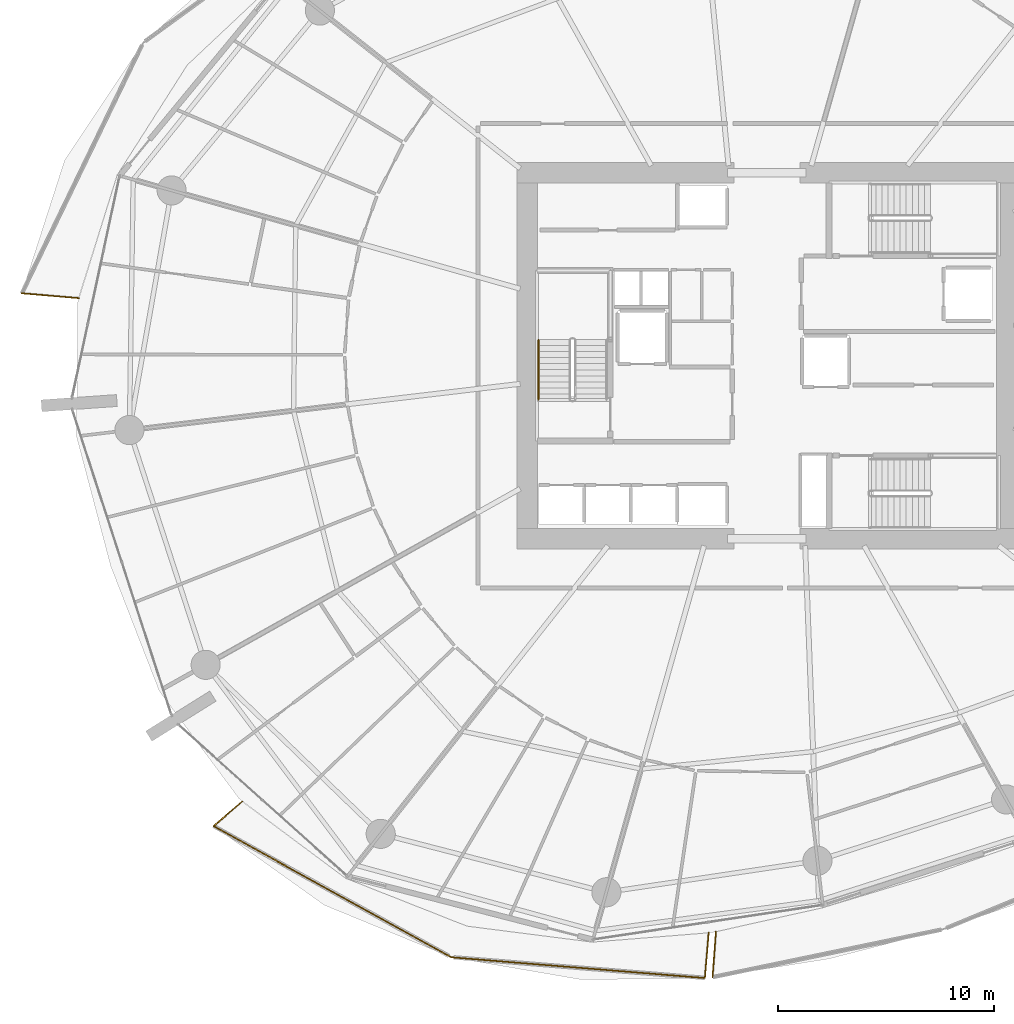
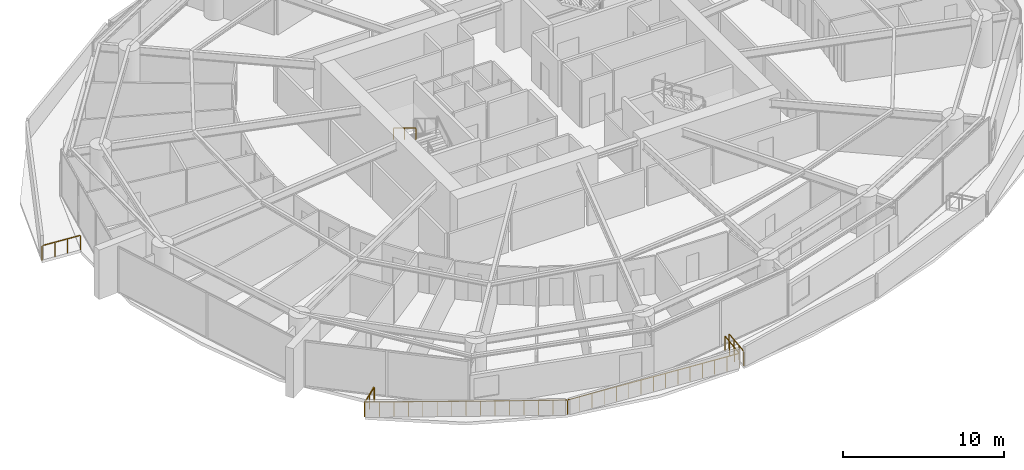
# One storey, part 25 of 31: 7 railings.
"""IFC4 building model written with IfcOpenShell, lengths in metres."""

from ifc_helpers import new_model, si_unit, direction, frame, origin, origin_2d, place, context, subcontext, project, spatial, rectangle, extrude, material, type_object, element, save


model = new_model("IFC4")

# Units and contexts
model_context = context("Model", 3, precision=1e-05, world=origin(), true_north=direction((0.0, 1.0)))
body_context = subcontext(model_context, "Body", "Model", "MODEL_VIEW")
ifc_project = project(units=[si_unit("LENGTHUNIT", "METRE"), si_unit("AREAUNIT", "SQUARE_METRE"), si_unit("VOLUMEUNIT", "CUBIC_METRE"), si_unit("PLANEANGLEUNIT", "RADIAN"), si_unit("MASSUNIT", "GRAM", prefix="KILO")], contexts=[model_context])

# Site, building, storey
site_placement = place(None, origin())
site = spatial("IfcSite", under=ifc_project, at=site_placement, CompositionType="ELEMENT")
building_placement = place(site_placement, origin())
building = spatial("IfcBuilding", under=site, at=building_placement, Name="Kazma Halo Residences", CompositionType="ELEMENT")
storey_placement = place(building_placement, frame((0.0, 0.0, 41.39990234375)))
storey = spatial("IfcBuildingStorey", under=building, at=storey_placement, Name="L09", CompositionType="ELEMENT", Elevation=41.39990234375)

# Railings
ifc_material_1 = material(Name="Aluminium AW-6063 T6 Brushed Cap Rail", Category="aluminium")
railing_type_1 = type_object("IfcRailingType", Name="RLG-BAL-CAP-1120", PredefinedType="BALUSTRADE", material=ifc_material_1)
railing_1_placement = place(storey_placement, frame((13.9169921875, 44.89208984375, 0.0)))
element("IfcRailing", 1, at=railing_1_placement, inside=storey, type_object=railing_type_1, Name="L09 NW wave balcony guard 4", PredefinedType="BALUSTRADE", context=body_context, shape_type="SweptSolid", body=[
    extrude(rectangle(XDim=0.050048828125, YDim=0.050048828125, at=origin_2d()), frame((0.04248046875, -0.003662109375, 1.09521484375), z_axis=(0.996418413409, -0.084559715106, 0.0), x_axis=(0.084559715106, 0.996418413409, 0.0)), (0.0, 0.0, 1.0), 2.556640625),
    extrude(rectangle(XDim=0.0400390625, YDim=0.0400390625, at=origin_2d()), origin(), (0.0, 0.0, 1.0), 1.05810546875),
    extrude(rectangle(XDim=0.0400390625, YDim=0.0400390625, at=origin_2d()), frame((0.87744140625, -0.074462890625, 0.0)), (0.0, 0.0, 1.0), 1.05810546875),
    extrude(rectangle(XDim=0.0400390625, YDim=0.0400390625, at=origin_2d()), frame((1.7548828125, -0.14892578125, 0.0)), (0.0, 0.0, 1.0), 1.05810546875),
    extrude(rectangle(XDim=0.0400390625, YDim=0.0400390625, at=origin_2d()), frame((2.63232421875, -0.223388671875, 0.0)), (0.0, 0.0, 1.0), 1.05810546875),
])
railing_2_placement = place(storey_placement, frame((24.124267578125, 21.354736328125, 0.0)))
element("IfcRailing", 2, at=railing_2_placement, inside=storey, type_object=railing_type_1, Name="L09 SW wave balcony guard 1", PredefinedType="BALUSTRADE", context=body_context, shape_type="SweptSolid", body=[
    extrude(rectangle(XDim=0.050048828125, YDim=0.050048828125, at=origin_2d()), frame((-0.0322265625, -0.02783203125, 1.09521484375), z_axis=(-0.75645845376, -0.6540417477, 0.0), x_axis=(0.6540417477, -0.75645845376, 0.0)), (0.0, 0.0, 1.0), 1.662353515625),
    extrude(rectangle(XDim=0.0400390625, YDim=0.0400390625, at=origin_2d()), origin(), (0.0, 0.0, 1.0), 1.05810546875),
    extrude(rectangle(XDim=0.0400390625, YDim=0.0400390625, at=origin_2d()), frame((-0.660888671875, -0.5712890625, 0.0)), (0.0, 0.0, 1.0), 1.05810546875),
    extrude(rectangle(XDim=0.0400390625, YDim=0.0400390625, at=origin_2d()), frame((-1.32177734375, -1.142822265625, 0.0)), (0.0, 0.0, 1.0), 1.05810546875),
])
railing_3_placement = place(storey_placement, frame((22.802490234375, 20.2119140625, 0.0)))
element("IfcRailing", 3, at=railing_3_placement, inside=storey, type_object=railing_type_1, Name="L09 SW wave balcony guard 2", PredefinedType="BALUSTRADE", context=body_context, shape_type="SweptSolid", body=[
    extrude(rectangle(XDim=0.050048828125, YDim=0.050048828125, at=origin_2d()), frame((0.037353515625, -0.0205078125, 1.09521484375), z_axis=(0.87546091384, -0.483288928425, 0.0), x_axis=(0.483288928425, 0.87546091384, 0.0)), (0.0, 0.0, 1.0), 12.4814453125),
    extrude(rectangle(XDim=0.0400390625, YDim=0.0400390625, at=origin_2d()), origin(), (0.0, 0.0, 1.0), 1.05810546875),
    extrude(rectangle(XDim=0.0400390625, YDim=0.0400390625, at=origin_2d()), frame((0.785888671875, -0.433837890625, 0.0)), (0.0, 0.0, 1.0), 1.05810546875),
    extrude(rectangle(XDim=0.0400390625, YDim=0.0400390625, at=origin_2d()), frame((1.571533203125, -0.86767578125, 0.0)), (0.0, 0.0, 1.0), 1.05810546875),
    extrude(rectangle(XDim=0.0400390625, YDim=0.0400390625, at=origin_2d()), frame((2.357421875, -1.301513671875, 0.0)), (0.0, 0.0, 1.0), 1.05810546875),
    extrude(rectangle(XDim=0.0400390625, YDim=0.0400390625, at=origin_2d()), frame((3.143310546875, -1.735107421875, 0.0)), (0.0, 0.0, 1.0), 1.05810546875),
    extrude(rectangle(XDim=0.0400390625, YDim=0.0400390625, at=origin_2d()), frame((3.92919921875, -2.1689453125, 0.0)), (0.0, 0.0, 1.0), 1.05810546875),
    extrude(rectangle(XDim=0.0400390625, YDim=0.0400390625, at=origin_2d()), frame((4.71484375, -2.602783203125, 0.0)), (0.0, 0.0, 1.0), 1.05810546875),
    extrude(rectangle(XDim=0.0400390625, YDim=0.0400390625, at=origin_2d()), frame((5.500732421875, -3.03662109375, 0.0)), (0.0, 0.0, 1.0), 1.05810546875),
    extrude(rectangle(XDim=0.0400390625, YDim=0.0400390625, at=origin_2d()), frame((6.28662109375, -3.470458984375, 0.0)), (0.0, 0.0, 1.0), 1.05810546875),
    extrude(rectangle(XDim=0.0400390625, YDim=0.0400390625, at=origin_2d()), frame((7.072265625, -3.904296875, 0.0)), (0.0, 0.0, 1.0), 1.05810546875),
    extrude(rectangle(XDim=0.0400390625, YDim=0.0400390625, at=origin_2d()), frame((7.858154296875, -4.338134765625, 0.0)), (0.0, 0.0, 1.0), 1.05810546875),
    extrude(rectangle(XDim=0.0400390625, YDim=0.0400390625, at=origin_2d()), frame((8.64404296875, -4.771728515625, 0.0)), (0.0, 0.0, 1.0), 1.05810546875),
    extrude(rectangle(XDim=0.0400390625, YDim=0.0400390625, at=origin_2d()), frame((9.429931640625, -5.20556640625, 0.0)), (0.0, 0.0, 1.0), 1.05810546875),
    extrude(rectangle(XDim=0.0400390625, YDim=0.0400390625, at=origin_2d()), frame((10.215576171875, -5.639404296875, 0.0)), (0.0, 0.0, 1.0), 1.05810546875),
    extrude(rectangle(XDim=0.0400390625, YDim=0.0400390625, at=origin_2d()), frame((11.00146484375, -6.0732421875, 0.0)), (0.0, 0.0, 1.0), 1.05810546875),
])
railing_4_placement = place(storey_placement, frame((33.803955078125, 14.138671875, 0.0)))
element("IfcRailing", 4, at=railing_4_placement, inside=storey, type_object=railing_type_1, Name="L09 SW wave balcony guard 3", PredefinedType="BALUSTRADE", context=body_context, shape_type="SweptSolid", body=[
    extrude(rectangle(XDim=0.050048828125, YDim=0.050048828125, at=origin_2d()), frame((0.04248046875, -0.00341796875, 1.09521484375), z_axis=(0.996665946261, -0.081590388919, 0.0), x_axis=(0.081590388919, 0.996665946261, 0.0)), (0.0, 0.0, 1.0), 11.70458984375),
    extrude(rectangle(XDim=0.0400390625, YDim=0.0400390625, at=origin_2d()), origin(), (0.0, 0.0, 1.0), 1.05810546875),
    extrude(rectangle(XDim=0.0400390625, YDim=0.0400390625, at=origin_2d()), frame((0.83935546875, -0.068603515625, 0.0)), (0.0, 0.0, 1.0), 1.05810546875),
    extrude(rectangle(XDim=0.0400390625, YDim=0.0400390625, at=origin_2d()), frame((1.6787109375, -0.137451171875, 0.0)), (0.0, 0.0, 1.0), 1.05810546875),
    extrude(rectangle(XDim=0.0400390625, YDim=0.0400390625, at=origin_2d()), frame((2.517822265625, -0.2060546875, 0.0)), (0.0, 0.0, 1.0), 1.05810546875),
    extrude(rectangle(XDim=0.0400390625, YDim=0.0400390625, at=origin_2d()), frame((3.357177734375, -0.27490234375, 0.0)), (0.0, 0.0, 1.0), 1.05810546875),
    extrude(rectangle(XDim=0.0400390625, YDim=0.0400390625, at=origin_2d()), frame((4.196533203125, -0.343505859375, 0.0)), (0.0, 0.0, 1.0), 1.05810546875),
    extrude(rectangle(XDim=0.0400390625, YDim=0.0400390625, at=origin_2d()), frame((5.035888671875, -0.412353515625, 0.0)), (0.0, 0.0, 1.0), 1.05810546875),
    extrude(rectangle(XDim=0.0400390625, YDim=0.0400390625, at=origin_2d()), frame((5.875, -0.48095703125, 0.0)), (0.0, 0.0, 1.0), 1.05810546875),
    extrude(rectangle(XDim=0.0400390625, YDim=0.0400390625, at=origin_2d()), frame((6.71435546875, -0.549560546875, 0.0)), (0.0, 0.0, 1.0), 1.05810546875),
    extrude(rectangle(XDim=0.0400390625, YDim=0.0400390625, at=origin_2d()), frame((7.5537109375, -0.618408203125, 0.0)), (0.0, 0.0, 1.0), 1.05810546875),
    extrude(rectangle(XDim=0.0400390625, YDim=0.0400390625, at=origin_2d()), frame((8.39306640625, -0.68701171875, 0.0)), (0.0, 0.0, 1.0), 1.05810546875),
    extrude(rectangle(XDim=0.0400390625, YDim=0.0400390625, at=origin_2d()), frame((9.232421875, -0.755859375, 0.0)), (0.0, 0.0, 1.0), 1.05810546875),
    extrude(rectangle(XDim=0.0400390625, YDim=0.0400390625, at=origin_2d()), frame((10.071533203125, -0.824462890625, 0.0)), (0.0, 0.0, 1.0), 1.05810546875),
    extrude(rectangle(XDim=0.0400390625, YDim=0.0400390625, at=origin_2d()), frame((10.910888671875, -0.893310546875, 0.0)), (0.0, 0.0, 1.0), 1.05810546875),
    extrude(rectangle(XDim=0.0400390625, YDim=0.0400390625, at=origin_2d()), frame((11.750244140625, -0.9619140625, 0.0)), (0.0, 0.0, 1.0), 1.05810546875),
])
railing_5_placement = place(storey_placement, frame((45.55419921875, 13.1767578125, 0.0)))
element("IfcRailing", 5, at=railing_5_placement, inside=storey, type_object=railing_type_1, Name="L09 SW wave balcony guard 4", PredefinedType="BALUSTRADE", context=body_context, shape_type="SweptSolid", body=[
    extrude(rectangle(XDim=0.050048828125, YDim=0.050048828125, at=origin_2d()), frame((0.003662109375, 0.04248046875, 1.09521484375), z_axis=(0.084593645284, 0.996415533388, 0.0), x_axis=(-0.996415533388, 0.084593645284, 0.0)), (0.0, 0.0, 1.0), 2.015869140625),
    extrude(rectangle(XDim=0.0400390625, YDim=0.0400390625, at=origin_2d()), origin(), (0.0, 0.0, 1.0), 1.05810546875),
    extrude(rectangle(XDim=0.0400390625, YDim=0.0400390625, at=origin_2d()), frame((0.059326171875, 0.69775390625, 0.0)), (0.0, 0.0, 1.0), 1.05810546875),
    extrude(rectangle(XDim=0.0400390625, YDim=0.0400390625, at=origin_2d()), frame((0.118408203125, 1.395751953125, 0.0)), (0.0, 0.0, 1.0), 1.05810546875),
    extrude(rectangle(XDim=0.0400390625, YDim=0.0400390625, at=origin_2d()), frame((0.177734375, 2.093505859375, 0.0)), (0.0, 0.0, 1.0), 1.05810546875),
])
railing_6_placement = place(storey_placement, frame((46.064208984375, 15.320068359375, 0.0)))
element("IfcRailing", 6, at=railing_6_placement, inside=storey, type_object=railing_type_1, Name="L09 SSE wave balcony guard 1", PredefinedType="BALUSTRADE", context=body_context, shape_type="SweptSolid", body=[
    extrude(rectangle(XDim=0.050048828125, YDim=0.050048828125, at=origin_2d()), frame((-0.003173828125, -0.04248046875, 1.09521484375), z_axis=(-0.07237077641, -0.997377797388, 0.0), x_axis=(0.997377797388, -0.07237077641, 0.0)), (0.0, 0.0, 1.0), 2.030029296875),
    extrude(rectangle(XDim=0.0400390625, YDim=0.0400390625, at=origin_2d()), origin(), (0.0, 0.0, 1.0), 1.05810546875),
    extrude(rectangle(XDim=0.0400390625, YDim=0.0400390625, at=origin_2d()), frame((-0.051025390625, -0.703125, 0.0)), (0.0, 0.0, 1.0), 1.05810546875),
    extrude(rectangle(XDim=0.0400390625, YDim=0.0400390625, at=origin_2d()), frame((-0.10205078125, -1.406494140625, 0.0)), (0.0, 0.0, 1.0), 1.05810546875),
    extrude(rectangle(XDim=0.0400390625, YDim=0.0400390625, at=origin_2d()), frame((-0.153076171875, -2.109619140625, 0.0)), (0.0, 0.0, 1.0), 1.05810546875),
])
ifc_material_2 = material(Name="Brushed Stainless Steel", Category="steel")
railing_type_2 = type_object("IfcRailingType", Name="RLG-STAIR-HND-900", PredefinedType="HANDRAIL", material=ifc_material_2)
railing_7_placement = place(storey_placement, frame((37.85009765625, 42.75, 2.045654296875)))
element("IfcRailing", 7, at=railing_7_placement, inside=storey, type_object=railing_type_2, Name="L09 ST-01 stair handrail 2", PredefinedType="HANDRAIL", context=body_context, shape_type="SweptSolid", body=[
    extrude(rectangle(XDim=0.050048828125, YDim=0.050048828125, at=origin_2d()), frame((0.0, -0.036376953125, 0.89697265625), z_axis=(0.0, -0.854202870247, 0.519939858505), x_axis=(1.0, 0.0, 0.0)), (0.0, 0.0, 1.0), 3.19287109375),
    extrude(rectangle(XDim=0.0400390625, YDim=0.0400390625, at=origin_2d()), origin(), (0.0, 0.0, 1.0), 0.837890625),
    extrude(rectangle(XDim=0.0400390625, YDim=0.0400390625, at=origin_2d()), frame((0.0, -1.39990234375, 0.85205078125)), (0.0, 0.0, 1.0), 0.837890625),
    extrude(rectangle(XDim=0.0400390625, YDim=0.0400390625, at=origin_2d()), frame((0.0, -2.800048828125, 1.704345703125)), (0.0, 0.0, 1.0), 0.837890625),
])

save(model, "model.ifc")
